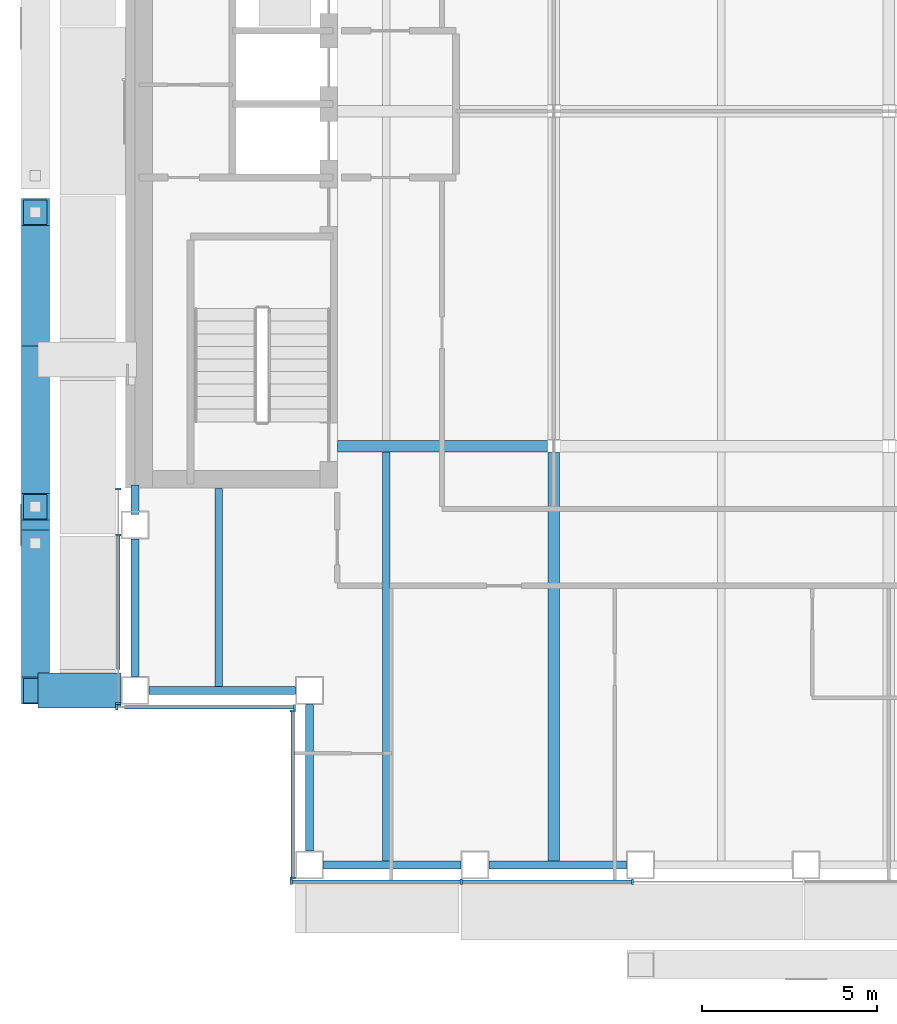
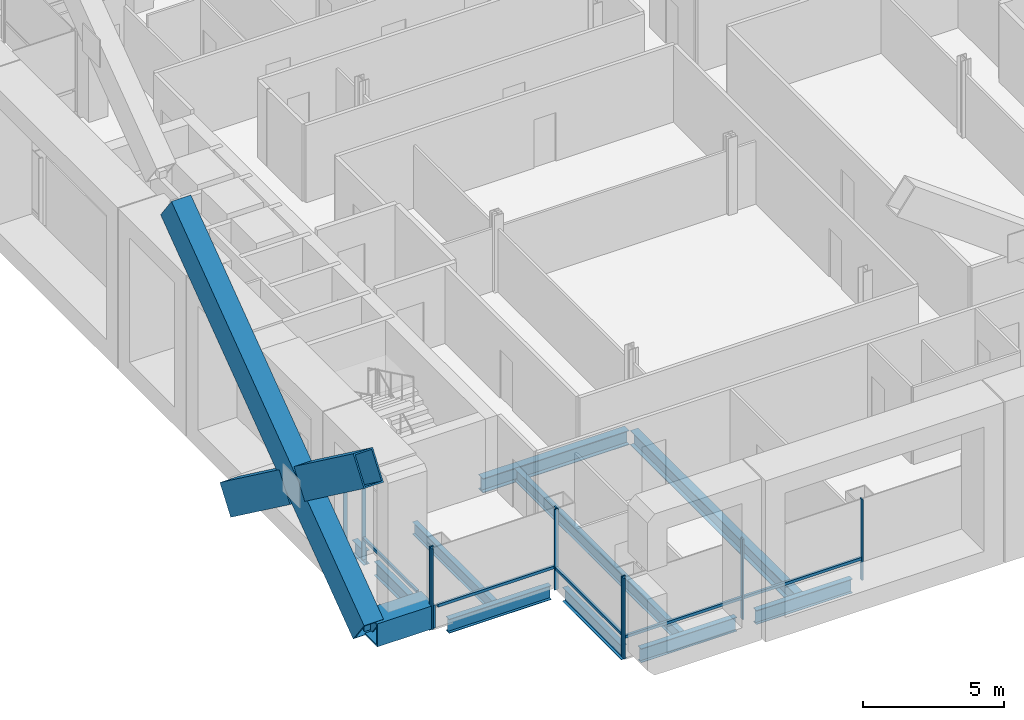
# One storey, part 3 of 22: 18 members, 11 beams, 4 elements without a shape of their own.
"""IFC4 building model written with IfcOpenShell, lengths in metres."""

from ifc_helpers import new_model, si_unit, direction, frame, origin, origin_2d, place, context, subcontext, project, spatial, rectangle, hollow_rectangle, i_section, extrude, material, material_profile, profile_set, type_object, element, aggregate, save


model = new_model("IFC4")

# Units and contexts
model_context = context("Model", 3, precision=1e-05, world=origin(), true_north=direction((0.0, 1.0)))
body_context = subcontext(model_context, "Body", "Model", "MODEL_VIEW")
ifc_project = project(units=[si_unit("LENGTHUNIT", "METRE"), si_unit("AREAUNIT", "SQUARE_METRE"), si_unit("VOLUMEUNIT", "CUBIC_METRE"), si_unit("PLANEANGLEUNIT", "RADIAN"), si_unit("MASSUNIT", "GRAM", prefix="KILO")], contexts=[model_context])

# Site, building, storey
site_placement = place(None, origin())
site = spatial("IfcSite", under=ifc_project, at=site_placement, CompositionType="ELEMENT")
building_placement = place(site_placement, origin())
building = spatial("IfcBuilding", under=site, at=building_placement, Name="Cobrizo Arcos Hotel Tower", CompositionType="ELEMENT")
storey_placement = place(building_placement, frame((0.0, 0.0, 169.0)))
storey = spatial("IfcBuildingStorey", under=building, at=storey_placement, Name="L43", CompositionType="ELEMENT", Elevation=169.0)

# Beam
ifc_material_1 = material(Name="Steel ASTM A572 Grade 50", Category="steel")
ifc_material_profile_1 = material_profile(ifc_material_1, hollow_rectangle(XDim=1.0, YDim=1.0, WallThickness=0.06005859375, at=origin_2d()), Name="BOX 1000X1000X60")
ifc_profile_set_1 = profile_set([ifc_material_profile_1], Name="Steel ASTM A572 Grade 50")
beam_type_1 = type_object("IfcBeamType", Name="BOX 1000X1000X60 brace connector strut", PredefinedType="BEAM", material=ifc_profile_set_1)
beam_1_placement = place(storey_placement, frame((-21.989990234375, -16.60009765625, 0.5), z_axis=(-1.0, 0.0, 0.0), x_axis=(0.0, -1.0, 0.0)))
element("IfcBeam", 1, at=beam_1_placement, inside=storey, type_object=beam_type_1, Name="Perimeter brace stub BS1, zone Z3, west face, offset -16.60 m, L43", PredefinedType="BEAM", context=body_context, shape_type="SweptSolid", body=[
    extrude(hollow_rectangle(XDim=1.0, YDim=1.0, WallThickness=0.06005859375, at=origin_2d()), origin(), (0.0, 0.0, 1.0), 2.380126953125),
])

# Members
ifc_material_profile_2 = material_profile(ifc_material_1, hollow_rectangle(XDim=0.800048828125, YDim=1.300048828125, WallThickness=0.06005859375, at=origin_2d()), Name="BOX 800X1300X60")
ifc_profile_set_2 = profile_set([ifc_material_profile_2], Name="Steel ASTM A572 Grade 50")
member_type_1 = type_object("IfcMemberType", Name="BOX 800X1300X60 perimeter brace", PredefinedType="BRACE", material=ifc_profile_set_2)
for number, where, z_axis, x_axis, name in (
    (2, (-24.449951171875, -7.1142578125, 0.5), (0.0, -0.804623858684, 0.593784848271), (1.0, 0.0, 0.0), "Perimeter brace PBR3, zone Z3, west face, no. 12"),
    (3, (-24.449951171875, -12.38037109375, 4.385986328125), (0.0, -0.804623858684, 0.593784848271), (1.0, 0.0, 0.0), "Perimeter brace PBR3, zone Z3, west face, no. 12b"),
):
    element("IfcMember", number, at=place(storey_placement, frame(where, z_axis=z_axis, x_axis=x_axis)), inside=storey, type_object=member_type_1, Name=name, PredefinedType="BRACE", context=body_context, shape_type="SweptSolid", body=[
        extrude(hollow_rectangle(XDim=0.800048828125, YDim=1.300048828125, WallThickness=0.06005859375, at=origin_2d()), origin(), (0.0, 0.0, 1.0), 5.244384765625),
    ])
member_1_placement = place(storey_placement, frame((-24.449951171875, -16.60009765625, 0.5), z_axis=(0.0, 0.804630166974, 0.593776299961), x_axis=(-1.0, 0.0, 0.0)))
element("IfcMember", 4, at=member_1_placement, inside=storey, type_object=member_type_1, Name="Perimeter brace PBR3, zone Z3, west face, no. 13", PredefinedType="BRACE", context=body_context, shape_type="SweptSolid", body=[
    extrude(hollow_rectangle(XDim=0.800048828125, YDim=1.300048828125, WallThickness=0.06005859375, at=origin_2d()), origin(), (0.0, 0.0, 1.0), 17.033447265625),
])

# Curtain wall, members
ifc_material_2 = material(Name="Aluminium 6063-T6 anodised bronze", Category="aluminium")
curtain_wall_type = type_object("IfcCurtainWallType", Name="CW-A guest facade", PredefinedType="NOTDEFINED", material=ifc_material_2)
curtain_wall_1_placement = place(storey_placement, origin())
curtain_wall_1 = element("IfcCurtainWall", 5, at=curtain_wall_1_placement, inside=storey, type_object=curtain_wall_type, Name="CW-A L43 S face", PredefinedType="NOTDEFINED")
ifc_material_profile_3 = material_profile(ifc_material_2, rectangle(XDim=0.14990234375, YDim=0.06005859375, at=origin_2d()), Name="CW-A mullion 150x60")
ifc_profile_set_3 = profile_set([ifc_material_profile_3], Name="Aluminium 6063-T6 anodised bronze")
member_type_2 = type_object("IfcMemberType", Name="CW-A mullion 150x60", PredefinedType="MULLION", material=ifc_profile_set_3)
member_2_placement = place(storey_placement, frame((-17.1201171875, -22.074951171875, 0.0), z_axis=(0.0, 0.0, 1.0), x_axis=(0.0, -1.0, 0.0)))
member_2 = element("IfcMember", 6, at=member_2_placement, type_object=member_type_2, Name="CW-A mullion 1", PredefinedType="MULLION", context=body_context, shape_type="SweptSolid", body=[
    extrude(rectangle(XDim=0.14990234375, YDim=0.06005859375, at=origin_2d()), origin(), (0.0, 0.0, 1.0), 3.5),
])
member_3_placement = place(storey_placement, frame((-12.25, -22.074951171875, 0.0), z_axis=(0.0, 0.0, 1.0), x_axis=(0.0, -1.0, 0.0)))
member_3 = element("IfcMember", 7, at=member_3_placement, type_object=member_type_2, Name="CW-A mullion 2", PredefinedType="MULLION", context=body_context, shape_type="SweptSolid", body=[
    extrude(rectangle(XDim=0.14990234375, YDim=0.06005859375, at=origin_2d()), origin(), (0.0, 0.0, 1.0), 3.5),
])
member_4_placement = place(storey_placement, frame((-7.35009765625, -22.074951171875, 0.0), z_axis=(0.0, 0.0, 1.0), x_axis=(0.0, -1.0, 0.0)))
member_4 = element("IfcMember", 8, at=member_4_placement, type_object=member_type_2, Name="CW-A mullion 3", PredefinedType="MULLION", context=body_context, shape_type="SweptSolid", body=[
    extrude(rectangle(XDim=0.14990234375, YDim=0.06005859375, at=origin_2d()), origin(), (0.0, 0.0, 1.0), 3.5),
])

curtain_wall_2_placement = place(storey_placement, origin())
curtain_wall_2 = element("IfcCurtainWall", 9, at=curtain_wall_2_placement, inside=storey, type_object=curtain_wall_type, Name="CW-A L43 W face", PredefinedType="NOTDEFINED")
member_5_placement = place(storey_placement, frame((-22.074951171875, -10.830078125, 0.0), z_axis=(0.0, 0.0, 1.0), x_axis=(-1.0, 0.0, 0.0)))
member_5 = element("IfcMember", 10, at=member_5_placement, type_object=member_type_2, Name="CW-A mullion 1", PredefinedType="MULLION", context=body_context, shape_type="SweptSolid", body=[
    extrude(rectangle(XDim=0.14990234375, YDim=0.06005859375, at=origin_2d()), origin(), (0.0, 0.0, 1.0), 3.5),
])
member_6_placement = place(storey_placement, frame((-22.074951171875, -12.142822265625, 0.0), z_axis=(0.0, 0.0, 1.0), x_axis=(-1.0, 0.0, 0.0)))
member_6 = element("IfcMember", 11, at=member_6_placement, type_object=member_type_2, Name="CW-A mullion 2", PredefinedType="MULLION", context=body_context, shape_type="SweptSolid", body=[
    extrude(rectangle(XDim=0.14990234375, YDim=0.06005859375, at=origin_2d()), origin(), (0.0, 0.0, 1.0), 3.5),
])
member_7_placement = place(storey_placement, frame((-22.074951171875, -16.969970703125, 0.0), z_axis=(0.0, 0.0, 1.0), x_axis=(-1.0, 0.0, 0.0)))
member_7 = element("IfcMember", 12, at=member_7_placement, type_object=member_type_2, Name="CW-A mullion 3", PredefinedType="MULLION", context=body_context, shape_type="SweptSolid", body=[
    extrude(rectangle(XDim=0.14990234375, YDim=0.06005859375, at=origin_2d()), origin(), (0.0, 0.0, 1.0), 3.5),
])

curtain_wall_3_placement = place(storey_placement, origin())
curtain_wall_3 = element("IfcCurtainWall", 13, at=curtain_wall_3_placement, inside=storey, type_object=curtain_wall_type, Name="CW-A L43 S face", PredefinedType="NOTDEFINED")
member_8_placement = place(storey_placement, frame((-22.1201171875, -17.074951171875, 0.0), z_axis=(0.0, 0.0, 1.0), x_axis=(0.0, -1.0, 0.0)))
member_8 = element("IfcMember", 14, at=member_8_placement, type_object=member_type_2, Name="CW-A mullion 1", PredefinedType="MULLION", context=body_context, shape_type="SweptSolid", body=[
    extrude(rectangle(XDim=0.14990234375, YDim=0.06005859375, at=origin_2d()), origin(), (0.0, 0.0, 1.0), 3.5),
])
member_9_placement = place(storey_placement, frame((-17.030029296875, -17.074951171875, 0.0), z_axis=(0.0, 0.0, 1.0), x_axis=(0.0, -1.0, 0.0)))
member_9 = element("IfcMember", 15, at=member_9_placement, type_object=member_type_2, Name="CW-A mullion 2", PredefinedType="MULLION", context=body_context, shape_type="SweptSolid", body=[
    extrude(rectangle(XDim=0.14990234375, YDim=0.06005859375, at=origin_2d()), origin(), (0.0, 0.0, 1.0), 3.5),
])

curtain_wall_4_placement = place(storey_placement, origin())
curtain_wall_4 = element("IfcCurtainWall", 16, at=curtain_wall_4_placement, inside=storey, type_object=curtain_wall_type, Name="CW-A L43 W face", PredefinedType="NOTDEFINED")
member_10_placement = place(storey_placement, frame((-17.074951171875, -17.179931640625, 0.0), z_axis=(0.0, 0.0, 1.0), x_axis=(-1.0, 0.0, 0.0)))
member_10 = element("IfcMember", 17, at=member_10_placement, type_object=member_type_2, Name="CW-A mullion 1", PredefinedType="MULLION", context=body_context, shape_type="SweptSolid", body=[
    extrude(rectangle(XDim=0.14990234375, YDim=0.06005859375, at=origin_2d()), origin(), (0.0, 0.0, 1.0), 3.5),
])
member_11_placement = place(storey_placement, frame((-17.074951171875, -21.969970703125, 0.0), z_axis=(0.0, 0.0, 1.0), x_axis=(-1.0, 0.0, 0.0)))
member_11 = element("IfcMember", 18, at=member_11_placement, type_object=member_type_2, Name="CW-A mullion 2", PredefinedType="MULLION", context=body_context, shape_type="SweptSolid", body=[
    extrude(rectangle(XDim=0.14990234375, YDim=0.06005859375, at=origin_2d()), origin(), (0.0, 0.0, 1.0), 3.5),
])

# Member
ifc_material_profile_4 = material_profile(ifc_material_2, rectangle(XDim=0.10009765625, YDim=0.1201171875, at=origin_2d()), Name="CW-A transom 120x100")
ifc_profile_set_4 = profile_set([ifc_material_profile_4], Name="Aluminium 6063-T6 anodised bronze")
member_type_3 = type_object("IfcMemberType", Name="CW-A transom 120x100", PredefinedType="USERDEFINED", material=ifc_profile_set_4)
member_12_placement = place(storey_placement, frame((-17.090087890625, -22.074951171875, 0.929931640625), z_axis=(1.0, 0.0, 0.0), x_axis=(0.0, 1.0, 0.0)))
member_12 = element("IfcMember", 19, at=member_12_placement, type_object=member_type_3, Name="CW-A transom 1516", ObjectType="TRANSOM", PredefinedType="USERDEFINED", context=body_context, shape_type="SweptSolid", body=[
    extrude(rectangle(XDim=0.10009765625, YDim=0.1201171875, at=origin_2d()), origin(), (0.0, 0.0, 1.0), 4.81005859375),
])

member_13_placement = place(storey_placement, frame((-12.219970703125, -22.074951171875, 0.929931640625), z_axis=(1.0, 0.0, 0.0), x_axis=(0.0, 1.0, 0.0)))
member_13 = element("IfcMember", 20, at=member_13_placement, type_object=member_type_3, Name="CW-A transom 1517", ObjectType="TRANSOM", PredefinedType="USERDEFINED", context=body_context, shape_type="SweptSolid", body=[
    extrude(rectangle(XDim=0.10009765625, YDim=0.1201171875, at=origin_2d()), origin(), (0.0, 0.0, 1.0), 4.840087890625),
])

aggregate(curtain_wall_1, [member_2, member_3, member_4, member_12, member_13])

member_14_placement = place(storey_placement, frame((-22.074951171875, -12.1728515625, 0.929931640625), z_axis=(0.0, -1.0, 0.0), x_axis=(1.0, 0.0, 0.0)))
member_14 = element("IfcMember", 21, at=member_14_placement, type_object=member_type_3, Name="CW-A transom 1543", ObjectType="TRANSOM", PredefinedType="USERDEFINED", context=body_context, shape_type="SweptSolid", body=[
    extrude(rectangle(XDim=0.10009765625, YDim=0.1201171875, at=origin_2d()), origin(), (0.0, 0.0, 1.0), 3.8271484375),
])

aggregate(curtain_wall_2, [member_5, member_6, member_7, member_14])

member_15_placement = place(storey_placement, frame((-21.889892578125, -17.074951171875, 0.929931640625), z_axis=(1.0, 0.0, 0.0), x_axis=(0.0, 1.0, 0.0)))
member_15 = element("IfcMember", 22, at=member_15_placement, type_object=member_type_3, Name="CW-A transom 1544", ObjectType="TRANSOM", PredefinedType="USERDEFINED", context=body_context, shape_type="SweptSolid", body=[
    extrude(rectangle(XDim=0.10009765625, YDim=0.1201171875, at=origin_2d()), origin(), (0.0, 0.0, 1.0), 4.829833984375),
])

aggregate(curtain_wall_3, [member_8, member_9, member_15])

member_16_placement = place(storey_placement, frame((-17.074951171875, -17.2099609375, 0.929931640625), z_axis=(0.0, -1.0, 0.0), x_axis=(1.0, 0.0, 0.0)))
member_16 = element("IfcMember", 23, at=member_16_placement, type_object=member_type_3, Name="CW-A transom 1545", ObjectType="TRANSOM", PredefinedType="USERDEFINED", context=body_context, shape_type="SweptSolid", body=[
    extrude(rectangle(XDim=0.10009765625, YDim=0.1201171875, at=origin_2d()), origin(), (0.0, 0.0, 1.0), 4.72998046875),
])

aggregate(curtain_wall_4, [member_10, member_11, member_16])

# Beams
ifc_material_3 = material(Name="Steel ASTM A992 Grade 50", Category="steel")
ifc_material_profile_5 = material_profile(ifc_material_3, i_section(OverallWidth=0.209228515625, OverallDepth=0.533447265625, WebThickness=0.01025390625, FlangeThickness=0.015625, at=origin_2d()), Name="W21X62")
ifc_profile_set_5 = profile_set([ifc_material_profile_5], Name="Steel ASTM A992 Grade 50")
beam_type_2 = type_object("IfcBeamType", Name="W21X62 joist", PredefinedType="JOIST", material=ifc_profile_set_5)
beam_2_placement = place(storey_placement, frame((-19.199951171875, -16.510009765625, -0.416748046875), z_axis=(0.0, 1.0, 0.0), x_axis=(-1.0, 0.0, 0.0)))
element("IfcBeam", 24, at=beam_2_placement, inside=storey, type_object=beam_type_2, Name="Floor joist J1, L43, no. 001", PredefinedType="JOIST", context=body_context, shape_type="SweptSolid", body=[
    extrude(i_section(OverallWidth=0.209228515625, OverallDepth=0.533447265625, WebThickness=0.01025390625, FlangeThickness=0.015625, at=origin_2d()), origin(), (0.0, 0.0, 1.0), 5.699951171875),
])
beam_3_placement = place(storey_placement, frame((-14.39990234375, -21.510009765625, -0.416748046875), z_axis=(0.0, 1.0, 0.0), x_axis=(-1.0, 0.0, 0.0)))
element("IfcBeam", 25, at=beam_3_placement, inside=storey, type_object=beam_type_2, Name="Floor joist J1, L43, no. 003", PredefinedType="JOIST", context=body_context, shape_type="SweptSolid", body=[
    extrude(i_section(OverallWidth=0.209228515625, OverallDepth=0.533447265625, WebThickness=0.01025390625, FlangeThickness=0.015625, at=origin_2d()), origin(), (0.0, 0.0, 1.0), 11.74609375),
])
ifc_material_profile_6 = material_profile(ifc_material_3, i_section(OverallWidth=0.32763671875, OverallDepth=0.622314453125, WebThickness=0.015380859375, FlangeThickness=0.0244140625, at=origin_2d()), Name="W24X131")
ifc_profile_set_6 = profile_set([ifc_material_profile_6], Name="Steel ASTM A992 Grade 50")
beam_type_3 = type_object("IfcBeamType", Name="W24X131 girder", PredefinedType="BEAM", material=ifc_profile_set_6)
beam_4_placement = place(storey_placement, frame((-15.7900390625, -9.60009765625, -0.461181640625), z_axis=(1.0, 0.0, 0.0), x_axis=(0.0, 1.0, 0.0)))
element("IfcBeam", 26, at=beam_4_placement, inside=storey, type_object=beam_type_3, Name="Floor girder G1, L43, no. 001", PredefinedType="BEAM", context=body_context, shape_type="SweptSolid", body=[
    extrude(i_section(OverallWidth=0.32763671875, OverallDepth=0.622314453125, WebThickness=0.015380859375, FlangeThickness=0.0244140625, at=origin_2d()), origin(), (0.0, 0.0, 1.0), 6.00341796875),
])
beam_5_placement = place(storey_placement, frame((-9.60009765625, -21.510009765625, -0.461181640625), z_axis=(0.0, 1.0, 0.0), x_axis=(-1.0, 0.0, 0.0)))
element("IfcBeam", 27, at=beam_5_placement, inside=storey, type_object=beam_type_3, Name="Floor girder G1, L43, no. 013", PredefinedType="BEAM", context=body_context, shape_type="SweptSolid", body=[
    extrude(i_section(OverallWidth=0.32763671875, OverallDepth=0.622314453125, WebThickness=0.015380859375, FlangeThickness=0.0244140625, at=origin_2d()), origin(), (0.0, 0.0, 1.0), 11.723388671875),
])
ifc_material_profile_7 = material_profile(ifc_material_3, i_section(OverallWidth=0.228271484375, OverallDepth=0.607177734375, WebThickness=0.01123046875, FlangeThickness=0.017333984375, at=origin_2d()), Name="W24X76")
ifc_profile_set_7 = profile_set([ifc_material_profile_7], Name="Steel ASTM A992 Grade 50")
beam_type_4 = type_object("IfcBeamType", Name="W24X76 spandrel", PredefinedType="SPANDREL", material=ifc_profile_set_7)
beam_6_placement = place(storey_placement, frame((-16.199951171875, -21.60009765625, -0.45361328125), z_axis=(1.0, 0.0, 0.0), x_axis=(0.0, 1.0, 0.0)))
element("IfcBeam", 28, at=beam_6_placement, inside=storey, type_object=beam_type_4, Name="Spandrel beam W24X76, L43, no. 001", PredefinedType="SPANDREL", context=body_context, shape_type="SweptSolid", body=[
    extrude(i_section(OverallWidth=0.228271484375, OverallDepth=0.607177734375, WebThickness=0.01123046875, FlangeThickness=0.017333984375, at=origin_2d()), origin(), (0.0, 0.0, 1.0), 3.94287109375),
])
beam_7_placement = place(storey_placement, frame((-11.45703125, -21.60009765625, -0.45361328125), z_axis=(1.0, 0.0, 0.0), x_axis=(0.0, 1.0, 0.0)))
element("IfcBeam", 29, at=beam_7_placement, inside=storey, type_object=beam_type_4, Name="Spandrel beam W24X76, L43, no. 002", PredefinedType="SPANDREL", context=body_context, shape_type="SweptSolid", body=[
    extrude(i_section(OverallWidth=0.228271484375, OverallDepth=0.607177734375, WebThickness=0.01123046875, FlangeThickness=0.017333984375, at=origin_2d()), origin(), (0.0, 0.0, 1.0), 3.943115234375),
])
beam_8_placement = place(storey_placement, frame((-21.60009765625, -10.7099609375, -0.45361328125), z_axis=(0.0, -1.0, 0.0), x_axis=(1.0, 0.0, 0.0)))
element("IfcBeam", 30, at=beam_8_placement, inside=storey, type_object=beam_type_4, Name="Spandrel beam W24X76, L43, no. 027", PredefinedType="SPANDREL", context=body_context, shape_type="SweptSolid", body=[
    extrude(i_section(OverallWidth=0.228271484375, OverallDepth=0.607177734375, WebThickness=0.01123046875, FlangeThickness=0.017333984375, at=origin_2d()), origin(), (0.0, 0.0, 1.0), 0.846923828125),
])
beam_9_placement = place(storey_placement, frame((-21.60009765625, -12.257080078125, -0.45361328125), z_axis=(0.0, -1.0, 0.0), x_axis=(1.0, 0.0, 0.0)))
element("IfcBeam", 31, at=beam_9_placement, inside=storey, type_object=beam_type_4, Name="Spandrel beam W24X76, L43, no. 028", PredefinedType="SPANDREL", context=body_context, shape_type="SweptSolid", body=[
    extrude(i_section(OverallWidth=0.228271484375, OverallDepth=0.607177734375, WebThickness=0.01123046875, FlangeThickness=0.017333984375, at=origin_2d()), origin(), (0.0, 0.0, 1.0), 3.94287109375),
])
for number, where, z_axis, x_axis, name in (
    (32, (-21.199951171875, -16.60009765625, -0.45361328125), (1.0, 0.0, 0.0), (0.0, 1.0, 0.0), "Spandrel beam W24X76, L43, no. 029"),
    (33, (-16.60009765625, -17.0, -0.45361328125), (0.0, -1.0, 0.0), (1.0, 0.0, 0.0), "Spandrel beam W24X76, L43, no. 030"),
):
    element("IfcBeam", number, at=place(storey_placement, frame(where, z_axis=z_axis, x_axis=x_axis)), inside=storey, type_object=beam_type_4, Name=name, PredefinedType="SPANDREL", context=body_context, shape_type="SweptSolid", body=[
        extrude(i_section(OverallWidth=0.228271484375, OverallDepth=0.607177734375, WebThickness=0.01123046875, FlangeThickness=0.017333984375, at=origin_2d()), origin(), (0.0, 0.0, 1.0), 4.199951171875),
    ])

save(model, "model.ifc")
